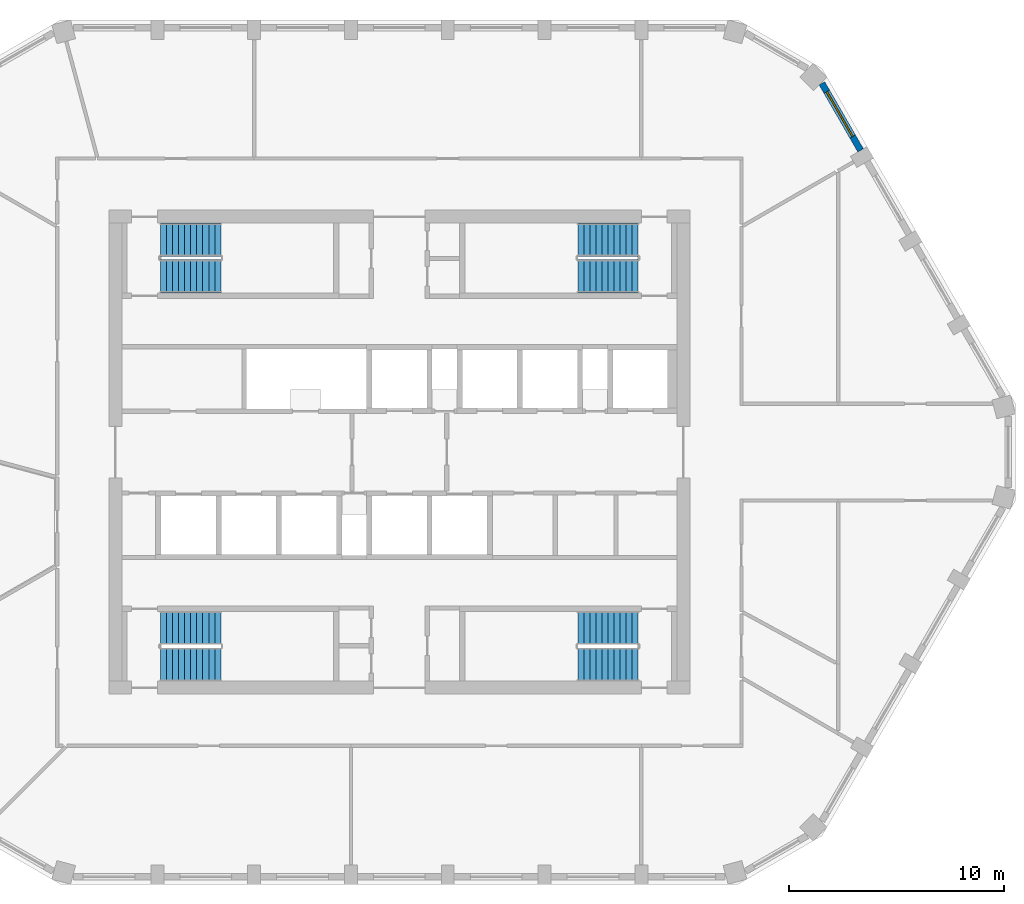
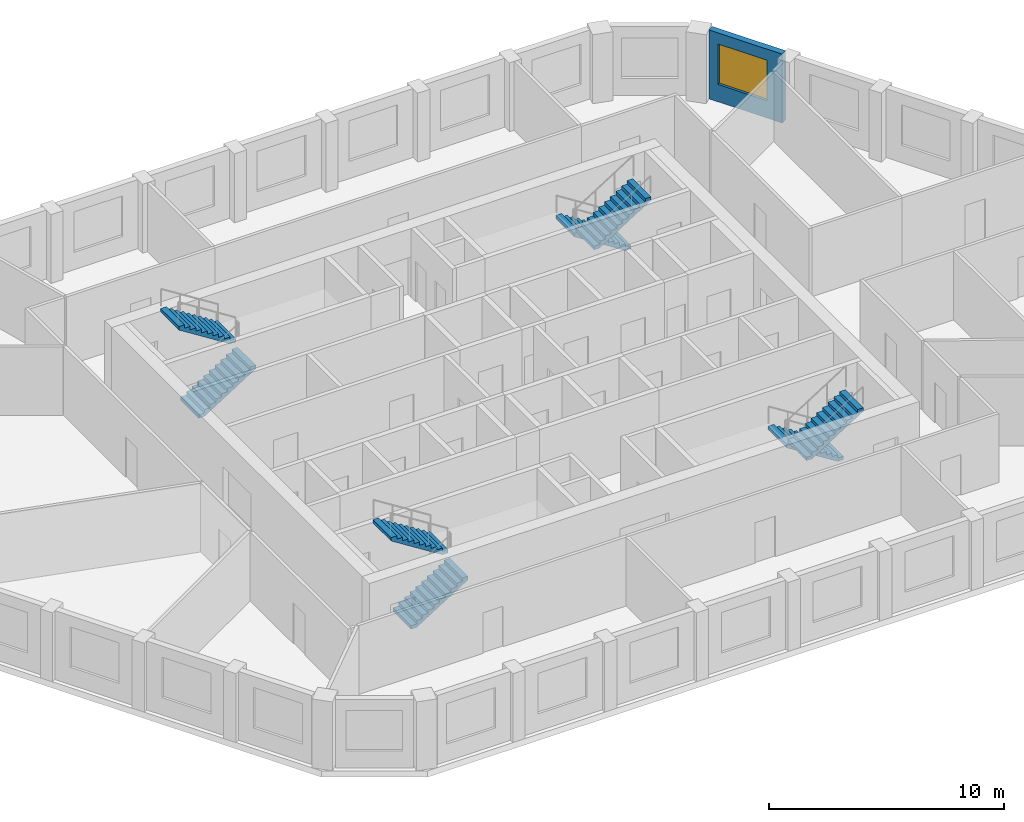
# One storey, part 7 of 9: 8 stair flights, 1 wall, 1 window, 1 opening, 4 elements without a shape of their own.
"""IFC4 building model written with IfcOpenShell, lengths in metres."""

import ifcopenshell
import ifcopenshell.guid

model = None  # the IFC model being written
_history = None  # IfcOwnerHistory: only IFC2X3 demands one
_inside = {}  # id of a spatial element -> (the spatial element, [elements in it])
_under = {}  # id of a project, library or spatial element -> (it, [spatial elements below it])
_declared = {}  # id of a project -> (the project, [libraries it declares])
_typed = {}  # id of a type object -> (the type object, [elements of that type])
_made_of = {}  # id of a material, layer set ... -> (it, [elements and type objects made of it])


def new_model(schema):
    """Start an empty IFC model of exactly this schema.

    Asked for "IFC4X3", IfcOpenShell would pick the latest addendum, in which some entities
    have other attributes; the version numbers below select the first issue.
    IFC2X3 requires an IfcOwnerHistory on every rooted entity: one is made here for all.
    """
    global model, _history
    if schema == "IFC4X3":
        model = ifcopenshell.file(schema_version=(4, 3, 0, 0))
    else:
        model = ifcopenshell.file(schema=schema)
    _inside.clear()
    _under.clear()
    _declared.clear()
    _typed.clear()
    _made_of.clear()
    _history = None
    if model.schema == "IFC2X3":
        org = make("IfcOrganization", Name="unknown")
        user = make(
            "IfcPersonAndOrganization",
            ThePerson=make("IfcPerson", FamilyName="unknown"),
            TheOrganization=org,
        )
        app = make(
            "IfcApplication",
            ApplicationDeveloper=org,
            Version="unknown",
            ApplicationFullName="unknown",
            ApplicationIdentifier="unknown",
        )
        _history = make(
            "IfcOwnerHistory",
            OwningUser=user,
            OwningApplication=app,
            ChangeAction="ADDED",
            CreationDate=0,
        )
    return model


def make(cls, **values):
    """One entity of the class cls with the attributes given. An attribute that is None is left unset."""
    return model.create_entity(
        cls, **{name: value for name, value in values.items() if value is not None}
    )


def rooted(cls, **values):
    """An entity with a GlobalId (a new one), such as an element, a storey or a relation."""
    return make(cls, GlobalId=ifcopenshell.guid.new(), OwnerHistory=_history, **values)


def si_unit(unit_type, name, prefix=None):
    """IfcSIUnit, for example si_unit("LENGTHUNIT", "METRE", prefix="MILLI")."""
    return make("IfcSIUnit", UnitType=unit_type, Prefix=prefix, Name=name)


def assignment(units):
    """IfcUnitAssignment: the units of a project."""
    return None if units is None else make("IfcUnitAssignment", Units=units)


def point(xyz):
    """IfcCartesianPoint."""
    return None if xyz is None else make("IfcCartesianPoint", Coordinates=xyz)


def direction(xyz):
    """IfcDirection."""
    return None if xyz is None else make("IfcDirection", DirectionRatios=xyz)


def frame(location, z_axis=None, x_axis=None):
    """IfcAxis2Placement3D, a coordinate frame: its origin and axes. An axis left out is left unset."""
    return make(
        "IfcAxis2Placement3D",
        Location=point(location),
        Axis=direction(z_axis),
        RefDirection=direction(x_axis),
    )


def frame_2d(location, x_axis=None):
    """IfcAxis2Placement2D, a coordinate frame in the plane: its origin and x axis."""
    return make(
        "IfcAxis2Placement2D", Location=point(location), RefDirection=direction(x_axis)
    )


def origin():
    """The frame at (0, 0, 0) with its axes left unset."""
    return frame((0.0, 0.0, 0.0))


def place(relative_to, where):
    """IfcLocalPlacement: puts the frame where relative to a parent placement (None: the world)."""
    return make(
        "IfcLocalPlacement", PlacementRelTo=relative_to, RelativePlacement=where
    )


def context(
    kind, dimensions, precision=None, world=None, true_north=None, identifier=None
):
    """IfcGeometricRepresentationContext, for example the 3D "Model" context."""
    return make(
        "IfcGeometricRepresentationContext",
        ContextIdentifier=identifier,
        ContextType=kind,
        CoordinateSpaceDimension=dimensions,
        Precision=precision,
        WorldCoordinateSystem=world,
        TrueNorth=true_north,
    )


def subcontext(parent, identifier, kind, view, scale=None):
    """IfcGeometricRepresentationSubContext, for example "Body" below "Model"."""
    return make(
        "IfcGeometricRepresentationSubContext",
        ContextIdentifier=identifier,
        ContextType=kind,
        ParentContext=parent,
        TargetScale=scale,
        TargetView=view,
    )


def project(units=None, contexts=None):
    """IfcProject with its units and contexts."""
    return rooted(
        "IfcProject",
        Name="project",
        RepresentationContexts=contexts,
        UnitsInContext=assignment(units),
    )


def spatial(cls, under=None, at=None, **own):
    """A site, building, storey or space (cls), placed at a placement, below another one or the project."""
    s = rooted(cls, ObjectPlacement=at, **own)
    if under is not None:
        _under.setdefault(under.id(), (under, []))[1].append(s)
    return s


def polyline(points):
    """IfcPolyline through the points."""
    return make("IfcPolyline", Points=[point(p) for p in points])


def profile(cls, at=None, kind="AREA", **sizes):
    """A parametric profile (cls). Its sizes go by their IFC names, for example OverallWidth=200.0."""
    return make(cls, ProfileType=kind, Position=at, **sizes)


def rectangle(**sizes):
    """IfcRectangleProfileDef."""
    return profile("IfcRectangleProfileDef", **sizes)


def outline(outer, holes=None, kind="AREA"):
    """IfcArbitraryClosedProfileDef: a profile drawn as a closed curve; with holes, ...WithVoids."""
    if holes is None:
        return make("IfcArbitraryClosedProfileDef", ProfileType=kind, OuterCurve=outer)
    return make(
        "IfcArbitraryProfileDefWithVoids",
        ProfileType=kind,
        OuterCurve=outer,
        InnerCurves=holes,
    )


def extrude(swept, where, along, depth):
    """IfcExtrudedAreaSolid: the profile swept, set in the frame where, extruded along a direction by depth."""
    return make(
        "IfcExtrudedAreaSolid",
        SweptArea=swept,
        Position=where,
        ExtrudedDirection=direction(along),
        Depth=depth,
    )


def shape(context_of_items, identifier, shape_type, items):
    """IfcShapeRepresentation: the items that make up one representation, for example the "Body"."""
    return make(
        "IfcShapeRepresentation",
        ContextOfItems=context_of_items,
        RepresentationIdentifier=identifier,
        RepresentationType=shape_type,
        Items=items,
    )


def material(Name=None, Category=None):
    """IfcMaterial."""
    return make("IfcMaterial", Name=Name, Category=Category)


def layer(
    of_material, thickness, ventilated=None, Name=None, Category=None, Priority=None
):
    """IfcMaterialLayer: one layer of a wall or slab, of a material (None: an air gap)."""
    return make(
        "IfcMaterialLayer",
        Material=of_material,
        LayerThickness=thickness,
        IsVentilated=ventilated,
        Name=Name,
        Category=Category,
        Priority=Priority,
    )


def layer_set(layers, Name=None):
    """IfcMaterialLayerSet."""
    return make("IfcMaterialLayerSet", MaterialLayers=layers, LayerSetName=Name)


def made_of(thing, what):
    """Note that an element or type object is made of a material, layer set ...; save() writes the relation."""
    if what is not None:
        _made_of.setdefault(what.id(), (what, []))[1].append(thing)
    return thing


def type_object(cls, material=None, **own):
    """A type object (cls), such as IfcWallType, which elements share."""
    return made_of(rooted(cls, **own), material)


def element(
    cls,
    number,
    at=None,
    inside=None,
    cuts=None,
    type_object=None,
    material=None,
    context=None,
    identifier="Body",
    shape_type=None,
    held_by="IfcProductDefinitionShape",
    body=None,
    shapes=None,
    **own,
):
    """One element of the class cls, such as IfcWall. Its Tag is "e" and its number.

    at: its placement. inside: the storey or other place that contains it. cuts: it is an
    opening in that element (IfcRelVoidsElement). A single representation is given by context,
    identifier, shape_type and body (its items); several are given by shapes. held_by: the class
    of the entity that holds the representations. save() writes the other relations.
    """
    e = rooted(cls, Tag="e%d" % number, ObjectPlacement=at, **own)
    if body is not None:
        shapes = [shape(context, identifier, shape_type, body)]
    if shapes is not None:
        e.Representation = make(held_by, Representations=shapes)
    if inside is not None:
        _inside.setdefault(inside.id(), (inside, []))[1].append(e)
    if cuts is not None:
        rooted(
            "IfcRelVoidsElement", RelatingBuildingElement=cuts, RelatedOpeningElement=e
        )
    if type_object is not None:
        _typed.setdefault(type_object.id(), (type_object, []))[1].append(e)
    return made_of(e, material)


def fill(opening, filler):
    """IfcRelFillsElement: the door or window that sits in an opening."""
    return rooted(
        "IfcRelFillsElement",
        RelatingOpeningElement=opening,
        RelatedBuildingElement=filler,
    )


def aggregate(whole, parts):
    """IfcRelAggregates: a whole, such as a stair, and the parts it consists of."""
    return rooted("IfcRelAggregates", RelatingObject=whole, RelatedObjects=parts)


def save(model, path):
    """Write the relations noted so far, then the file.

    IfcRelAggregates (storeys below a building ...), IfcRelContainedInSpatialStructure (elements
    in a storey), IfcRelDefinesByType, IfcRelAssociatesMaterial and IfcRelDeclares: one each for
    every whole, place, type object, material and project.
    """
    for whole, parts in _under.values():
        aggregate(whole, parts)
    for where, things in _inside.values():
        rooted(
            "IfcRelContainedInSpatialStructure",
            RelatedElements=things,
            RelatingStructure=where,
        )
    for kind, things in _typed.values():
        rooted("IfcRelDefinesByType", RelatedObjects=things, RelatingType=kind)
    for what, things in _made_of.values():
        rooted("IfcRelAssociatesMaterial", RelatedObjects=things, RelatingMaterial=what)
    for by, libraries in _declared.values():
        rooted("IfcRelDeclares", RelatingContext=by, RelatedDefinitions=libraries)
    model.write(path)


model = new_model("IFC4")

# Units and contexts
model_context = context("Model", 3, precision=1e-05, world=origin(), true_north=direction((0.0, 1.0)))
body_context = subcontext(model_context, "Body", "Model", "MODEL_VIEW")
ifc_project = project(units=[si_unit("LENGTHUNIT", "METRE"), si_unit("AREAUNIT", "SQUARE_METRE"), si_unit("VOLUMEUNIT", "CUBIC_METRE"), si_unit("PLANEANGLEUNIT", "RADIAN"), si_unit("MASSUNIT", "GRAM", prefix="KILO")], contexts=[model_context])

# Site, building, storey
site_placement = place(None, origin())
site = spatial("IfcSite", under=ifc_project, at=site_placement, CompositionType="ELEMENT")
building_placement = place(site_placement, origin())
building = spatial("IfcBuilding", under=site, at=building_placement, Name="Dhurran Vertical Campus", CompositionType="ELEMENT")
storey_placement = place(building_placement, frame((0.0, 0.0, 290.39990234375)))
storey = spatial("IfcBuildingStorey", under=building, at=storey_placement, Name="L72", CompositionType="ELEMENT", Elevation=290.39990234375)

# Wall, opening, window
ifc_material_1 = material(Name="Precast concrete C50/60", Category="concrete")
ifc_layer = layer(ifc_material_1, 0.300048828125)
ifc_layer_set = layer_set([ifc_layer], Name="Precast concrete C50/60")
wall_type = type_object("IfcWallType", Name="Precast spandrel wall 300", PredefinedType="SOLIDWALL", material=ifc_layer_set)
wall_placement = place(storey_placement, frame((21.44384765625, 14.026611328125, 0.0), z_axis=(0.0, 0.0, 1.0), x_axis=(-0.50001992892, 0.866013897511, 0.0)))
wall = element("IfcWall", 1, at=wall_placement, inside=storey, type_object=wall_type, Name="EW1 L72.16", PredefinedType="SOLIDWALL", context=body_context, shape_type="SweptSolid", body=[
    extrude(rectangle(XDim=3.599365234375, YDim=0.300048828125, at=frame_2d((1.7998046875, 0.0))), origin(), (0.0, 0.0, 1.0), 3.5751953125),
])
opening_placement = place(wall_placement, frame((0.74951171875, 0.0, 0.89990234375)))
opening = element("IfcOpeningElement", 2, at=opening_placement, cuts=wall, Name="Opening WT1", PredefinedType="OPENING", context=body_context, shape_type="SweptSolid", body=[
    extrude(rectangle(XDim=2.39990234375, YDim=2.10009765625, at=frame_2d((1.199951171875, 1.050048828125))), frame((0.0, 0.159912109375, 0.0), z_axis=(0.0, -1.0, 0.0), x_axis=(1.0, 0.0, 0.0)), (0.0, 0.0, 1.0), 0.320068359375),
])
ifc_material_2 = material(Name="Aluminium frame with solar-control glass", Category="aluminium")
window_type = type_object("IfcWindowType", Name="Punched window 2400 x 2100", PartitioningType="SINGLE_PANEL", PredefinedType="WINDOW", material=ifc_material_2)
window_placement = place(opening_placement, origin())
window = element("IfcWindow", 3, at=window_placement, inside=storey, type_object=window_type, Name="WT1 L72.16", OverallHeight=2.10009765625, OverallWidth=2.39990234375, PartitioningType="SINGLE_PANEL", PredefinedType="WINDOW", context=body_context, shape_type="SweptSolid", body=[
    extrude(rectangle(XDim=2.39990234375, YDim=2.10009765625, at=frame_2d((1.199951171875, 1.050048828125))), frame((0.0, 0.030029296875, 0.0), z_axis=(0.0, -1.0, 0.0), x_axis=(1.0, 0.0, 0.0)), (0.0, 0.0, 1.0), 0.06005859375),
])
fill(opening, window)

# Stair, stair flights
ifc_material_3 = material(Name="Concrete C40/50", Category="concrete")
stair_type = type_object("IfcStairType", Name="co-ST-CORE", PredefinedType="HALF_TURN_STAIR", material=ifc_material_3)
stair_1_placement = place(storey_placement, origin())
stair_1 = element("IfcStair", 4, at=stair_1_placement, inside=storey, type_object=stair_type, Name="L72 Protected exit stair ST1", PredefinedType="HALF_TURN_STAIR")
ifc_material_4 = material(Name="Concrete C40/50", Category="concrete")
stair_flight_type = type_object("IfcStairFlightType", Name="co-SFL-RC", PredefinedType="STRAIGHT", material=ifc_material_4)
stair_flight_1_placement = place(storey_placement, frame((-11.10009765625, 8.175048828125, 0.0), z_axis=(0.0, 0.0, 1.0), x_axis=(1.0, 0.0, 0.0)))
stair_flight_1 = element("IfcStairFlight", 5, at=stair_flight_1_placement, type_object=stair_flight_type, Name="ST1 flight 1", NumberOfRisers=11, NumberOfTreads=10, PredefinedType="STRAIGHT", RiserHeight=0.177272727, TreadLength=0.28, context=body_context, shape_type="SweptSolid", body=[
    extrude(outline(polyline([(0.0, 0.0), (0.0, 0.17724609375), (0.280029296875, 0.17724609375), (0.280029296875, 0.3544921875), (0.56005859375, 0.3544921875), (0.56005859375, 0.53173828125), (0.840087890625, 0.53173828125), (0.840087890625, 0.708984375), (1.1201171875, 0.708984375), (1.1201171875, 0.886474609375), (1.39990234375, 0.886474609375), (1.39990234375, 1.063720703125), (1.679931640625, 1.063720703125), (1.679931640625, 1.240966796875), (1.9599609375, 1.240966796875), (1.9599609375, 1.418212890625), (2.239990234375, 1.418212890625), (2.239990234375, 1.595458984375), (2.52001953125, 1.595458984375), (2.52001953125, 1.772705078125), (2.800048828125, 1.772705078125), (2.800048828125, 1.949951171875), (2.800048828125, 1.59521484375), (0.2802734375, 0.0), (0.0, 0.0)])), frame((0.0, 0.77490234375, 0.0), z_axis=(0.0, -1.0, 0.0), x_axis=(1.0, 0.0, 0.0)), (0.0, 0.0, 1.0), 1.550048828125),
])
stair_flight_2_placement = place(storey_placement, frame((-8.300048828125, 9.875, 1.9501953125), z_axis=(0.0, 0.0, 1.0), x_axis=(-1.0, 0.0, 0.0)))
stair_flight_2 = element("IfcStairFlight", 6, at=stair_flight_2_placement, type_object=stair_flight_type, Name="ST1 flight 2", NumberOfRisers=11, NumberOfTreads=10, PredefinedType="STRAIGHT", RiserHeight=0.177272727, TreadLength=0.28, context=body_context, shape_type="SweptSolid", body=[
    extrude(outline(polyline([(0.0, 0.0), (0.0, 0.17724609375), (0.280029296875, 0.17724609375), (0.280029296875, 0.3544921875), (0.56005859375, 0.3544921875), (0.56005859375, 0.53173828125), (0.840087890625, 0.53173828125), (0.840087890625, 0.708984375), (1.1201171875, 0.708984375), (1.1201171875, 0.886474609375), (1.39990234375, 0.886474609375), (1.39990234375, 1.063720703125), (1.679931640625, 1.063720703125), (1.679931640625, 1.240966796875), (1.9599609375, 1.240966796875), (1.9599609375, 1.418212890625), (2.239990234375, 1.418212890625), (2.239990234375, 1.595458984375), (2.52001953125, 1.595458984375), (2.52001953125, 1.772705078125), (2.800048828125, 1.772705078125), (2.800048828125, 1.949951171875), (2.800048828125, 1.59521484375), (0.2802734375, 0.0), (0.0, 0.0)])), frame((0.0, 0.77490234375, 0.0), z_axis=(0.0, -1.0, 0.0), x_axis=(1.0, 0.0, 0.0)), (0.0, 0.0, 1.0), 1.550048828125),
])
aggregate(stair_1, [stair_flight_1, stair_flight_2])

stair_2_placement = place(storey_placement, origin())
stair_2 = element("IfcStair", 7, at=stair_2_placement, inside=storey, type_object=stair_type, Name="L72 Protected exit stair ST2", PredefinedType="HALF_TURN_STAIR")
stair_flight_3_placement = place(storey_placement, frame((11.10009765625, 9.875, 0.0), z_axis=(0.0, 0.0, 1.0), x_axis=(-1.0, 0.0, 0.0)))
stair_flight_3 = element("IfcStairFlight", 8, at=stair_flight_3_placement, type_object=stair_flight_type, Name="ST2 flight 1", NumberOfRisers=11, NumberOfTreads=10, PredefinedType="STRAIGHT", RiserHeight=0.177272727, TreadLength=0.28, context=body_context, shape_type="SweptSolid", body=[
    extrude(outline(polyline([(0.0, 0.0), (0.0, 0.17724609375), (0.280029296875, 0.17724609375), (0.280029296875, 0.3544921875), (0.56005859375, 0.3544921875), (0.56005859375, 0.53173828125), (0.840087890625, 0.53173828125), (0.840087890625, 0.708984375), (1.1201171875, 0.708984375), (1.1201171875, 0.886474609375), (1.39990234375, 0.886474609375), (1.39990234375, 1.063720703125), (1.679931640625, 1.063720703125), (1.679931640625, 1.240966796875), (1.9599609375, 1.240966796875), (1.9599609375, 1.418212890625), (2.239990234375, 1.418212890625), (2.239990234375, 1.595458984375), (2.52001953125, 1.595458984375), (2.52001953125, 1.772705078125), (2.800048828125, 1.772705078125), (2.800048828125, 1.949951171875), (2.800048828125, 1.59521484375), (0.2802734375, 0.0), (0.0, 0.0)])), frame((0.0, 0.77490234375, 0.0), z_axis=(0.0, -1.0, 0.0), x_axis=(1.0, 0.0, 0.0)), (0.0, 0.0, 1.0), 1.550048828125),
])
stair_flight_4_placement = place(storey_placement, frame((8.300048828125, 8.175048828125, 1.9501953125), z_axis=(0.0, 0.0, 1.0), x_axis=(1.0, 0.0, 0.0)))
stair_flight_4 = element("IfcStairFlight", 9, at=stair_flight_4_placement, type_object=stair_flight_type, Name="ST2 flight 2", NumberOfRisers=11, NumberOfTreads=10, PredefinedType="STRAIGHT", RiserHeight=0.177272727, TreadLength=0.28, context=body_context, shape_type="SweptSolid", body=[
    extrude(outline(polyline([(0.0, 0.0), (0.0, 0.17724609375), (0.280029296875, 0.17724609375), (0.280029296875, 0.3544921875), (0.56005859375, 0.3544921875), (0.56005859375, 0.53173828125), (0.840087890625, 0.53173828125), (0.840087890625, 0.708984375), (1.1201171875, 0.708984375), (1.1201171875, 0.886474609375), (1.39990234375, 0.886474609375), (1.39990234375, 1.063720703125), (1.679931640625, 1.063720703125), (1.679931640625, 1.240966796875), (1.9599609375, 1.240966796875), (1.9599609375, 1.418212890625), (2.239990234375, 1.418212890625), (2.239990234375, 1.595458984375), (2.52001953125, 1.595458984375), (2.52001953125, 1.772705078125), (2.800048828125, 1.772705078125), (2.800048828125, 1.949951171875), (2.800048828125, 1.59521484375), (0.2802734375, 0.0), (0.0, 0.0)])), frame((0.0, 0.77490234375, 0.0), z_axis=(0.0, -1.0, 0.0), x_axis=(1.0, 0.0, 0.0)), (0.0, 0.0, 1.0), 1.550048828125),
])
aggregate(stair_2, [stair_flight_3, stair_flight_4])

stair_3_placement = place(storey_placement, origin())
stair_3 = element("IfcStair", 10, at=stair_3_placement, inside=storey, type_object=stair_type, Name="L72 Protected exit stair ST3", PredefinedType="HALF_TURN_STAIR")
stair_flight_5_placement = place(storey_placement, frame((-11.10009765625, -9.875, 0.0), z_axis=(0.0, 0.0, 1.0), x_axis=(1.0, 0.0, 0.0)))
stair_flight_5 = element("IfcStairFlight", 11, at=stair_flight_5_placement, type_object=stair_flight_type, Name="ST3 flight 1", NumberOfRisers=11, NumberOfTreads=10, PredefinedType="STRAIGHT", RiserHeight=0.177272727, TreadLength=0.28, context=body_context, shape_type="SweptSolid", body=[
    extrude(outline(polyline([(0.0, 0.0), (0.0, 0.17724609375), (0.280029296875, 0.17724609375), (0.280029296875, 0.3544921875), (0.56005859375, 0.3544921875), (0.56005859375, 0.53173828125), (0.840087890625, 0.53173828125), (0.840087890625, 0.708984375), (1.1201171875, 0.708984375), (1.1201171875, 0.886474609375), (1.39990234375, 0.886474609375), (1.39990234375, 1.063720703125), (1.679931640625, 1.063720703125), (1.679931640625, 1.240966796875), (1.9599609375, 1.240966796875), (1.9599609375, 1.418212890625), (2.239990234375, 1.418212890625), (2.239990234375, 1.595458984375), (2.52001953125, 1.595458984375), (2.52001953125, 1.772705078125), (2.800048828125, 1.772705078125), (2.800048828125, 1.949951171875), (2.800048828125, 1.59521484375), (0.2802734375, 0.0), (0.0, 0.0)])), frame((0.0, 0.77490234375, 0.0), z_axis=(0.0, -1.0, 0.0), x_axis=(1.0, 0.0, 0.0)), (0.0, 0.0, 1.0), 1.550048828125),
])
stair_flight_6_placement = place(storey_placement, frame((-8.300048828125, -8.175048828125, 1.9501953125), z_axis=(0.0, 0.0, 1.0), x_axis=(-1.0, 0.0, 0.0)))
stair_flight_6 = element("IfcStairFlight", 12, at=stair_flight_6_placement, type_object=stair_flight_type, Name="ST3 flight 2", NumberOfRisers=11, NumberOfTreads=10, PredefinedType="STRAIGHT", RiserHeight=0.177272727, TreadLength=0.28, context=body_context, shape_type="SweptSolid", body=[
    extrude(outline(polyline([(0.0, 0.0), (0.0, 0.17724609375), (0.280029296875, 0.17724609375), (0.280029296875, 0.3544921875), (0.56005859375, 0.3544921875), (0.56005859375, 0.53173828125), (0.840087890625, 0.53173828125), (0.840087890625, 0.708984375), (1.1201171875, 0.708984375), (1.1201171875, 0.886474609375), (1.39990234375, 0.886474609375), (1.39990234375, 1.063720703125), (1.679931640625, 1.063720703125), (1.679931640625, 1.240966796875), (1.9599609375, 1.240966796875), (1.9599609375, 1.418212890625), (2.239990234375, 1.418212890625), (2.239990234375, 1.595458984375), (2.52001953125, 1.595458984375), (2.52001953125, 1.772705078125), (2.800048828125, 1.772705078125), (2.800048828125, 1.949951171875), (2.800048828125, 1.59521484375), (0.2802734375, 0.0), (0.0, 0.0)])), frame((0.0, 0.77490234375, 0.0), z_axis=(0.0, -1.0, 0.0), x_axis=(1.0, 0.0, 0.0)), (0.0, 0.0, 1.0), 1.550048828125),
])
aggregate(stair_3, [stair_flight_5, stair_flight_6])

stair_4_placement = place(storey_placement, origin())
stair_4 = element("IfcStair", 13, at=stair_4_placement, inside=storey, type_object=stair_type, Name="L72 Protected exit stair ST4", PredefinedType="HALF_TURN_STAIR")
stair_flight_7_placement = place(storey_placement, frame((11.10009765625, -8.175048828125, 0.0), z_axis=(0.0, 0.0, 1.0), x_axis=(-1.0, 0.0, 0.0)))
stair_flight_7 = element("IfcStairFlight", 14, at=stair_flight_7_placement, type_object=stair_flight_type, Name="ST4 flight 1", NumberOfRisers=11, NumberOfTreads=10, PredefinedType="STRAIGHT", RiserHeight=0.177272727, TreadLength=0.28, context=body_context, shape_type="SweptSolid", body=[
    extrude(outline(polyline([(0.0, 0.0), (0.0, 0.17724609375), (0.280029296875, 0.17724609375), (0.280029296875, 0.3544921875), (0.56005859375, 0.3544921875), (0.56005859375, 0.53173828125), (0.840087890625, 0.53173828125), (0.840087890625, 0.708984375), (1.1201171875, 0.708984375), (1.1201171875, 0.886474609375), (1.39990234375, 0.886474609375), (1.39990234375, 1.063720703125), (1.679931640625, 1.063720703125), (1.679931640625, 1.240966796875), (1.9599609375, 1.240966796875), (1.9599609375, 1.418212890625), (2.239990234375, 1.418212890625), (2.239990234375, 1.595458984375), (2.52001953125, 1.595458984375), (2.52001953125, 1.772705078125), (2.800048828125, 1.772705078125), (2.800048828125, 1.949951171875), (2.800048828125, 1.59521484375), (0.2802734375, 0.0), (0.0, 0.0)])), frame((0.0, 0.77490234375, 0.0), z_axis=(0.0, -1.0, 0.0), x_axis=(1.0, 0.0, 0.0)), (0.0, 0.0, 1.0), 1.550048828125),
])
stair_flight_8_placement = place(storey_placement, frame((8.300048828125, -9.875, 1.9501953125), z_axis=(0.0, 0.0, 1.0), x_axis=(1.0, 0.0, 0.0)))
stair_flight_8 = element("IfcStairFlight", 15, at=stair_flight_8_placement, type_object=stair_flight_type, Name="ST4 flight 2", NumberOfRisers=11, NumberOfTreads=10, PredefinedType="STRAIGHT", RiserHeight=0.177272727, TreadLength=0.28, context=body_context, shape_type="SweptSolid", body=[
    extrude(outline(polyline([(0.0, 0.0), (0.0, 0.17724609375), (0.280029296875, 0.17724609375), (0.280029296875, 0.3544921875), (0.56005859375, 0.3544921875), (0.56005859375, 0.53173828125), (0.840087890625, 0.53173828125), (0.840087890625, 0.708984375), (1.1201171875, 0.708984375), (1.1201171875, 0.886474609375), (1.39990234375, 0.886474609375), (1.39990234375, 1.063720703125), (1.679931640625, 1.063720703125), (1.679931640625, 1.240966796875), (1.9599609375, 1.240966796875), (1.9599609375, 1.418212890625), (2.239990234375, 1.418212890625), (2.239990234375, 1.595458984375), (2.52001953125, 1.595458984375), (2.52001953125, 1.772705078125), (2.800048828125, 1.772705078125), (2.800048828125, 1.949951171875), (2.800048828125, 1.59521484375), (0.2802734375, 0.0), (0.0, 0.0)])), frame((0.0, 0.77490234375, 0.0), z_axis=(0.0, -1.0, 0.0), x_axis=(1.0, 0.0, 0.0)), (0.0, 0.0, 1.0), 1.550048828125),
])
aggregate(stair_4, [stair_flight_7, stair_flight_8])

save(model, "model.ifc")
